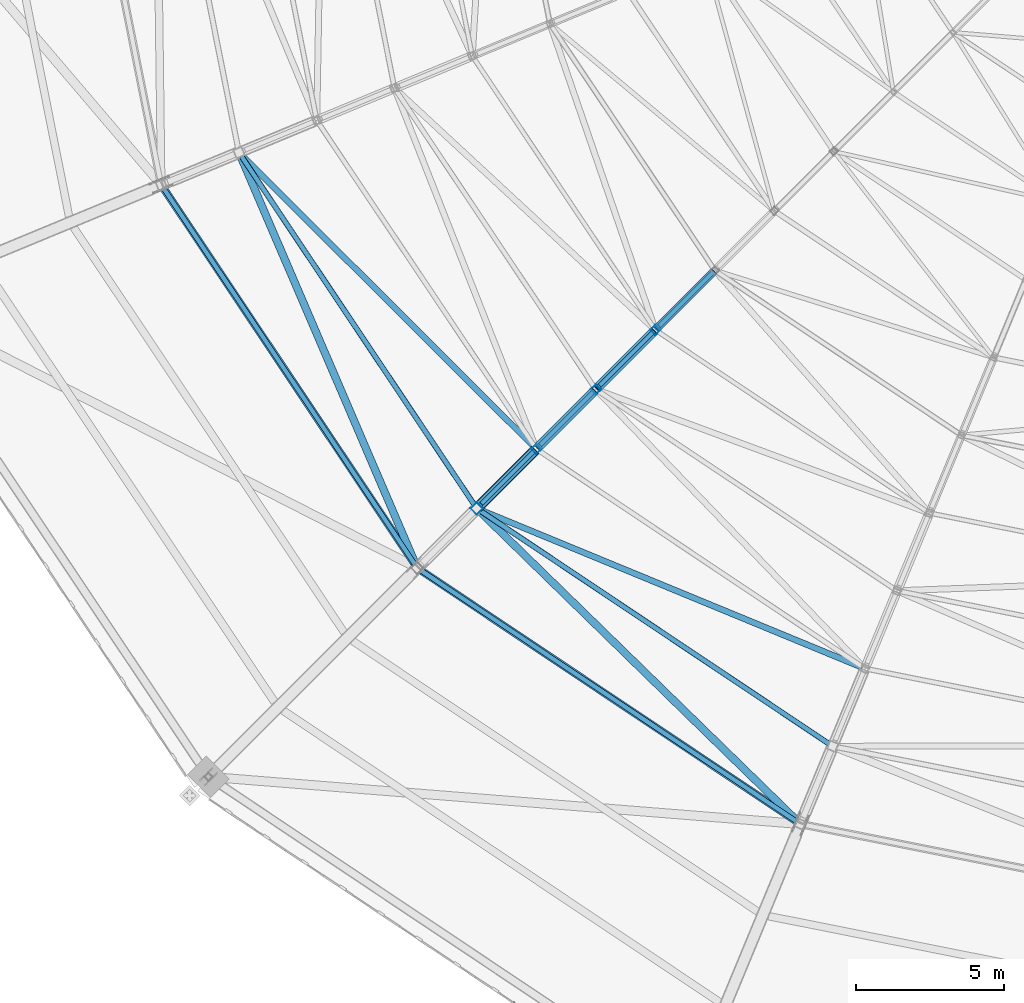
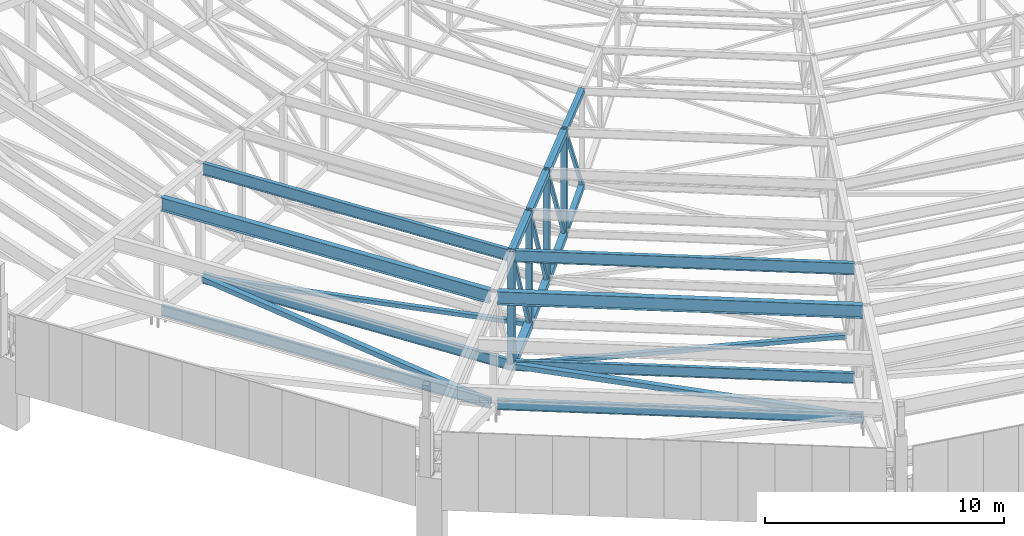
# One storey, part 4 of 278: 16 members, 12 beams.
"""IFC4 building model written with IfcOpenShell, lengths in metres."""

from ifc_helpers import new_model, si_unit, direction, frame, origin, origin_2d, place, context, subcontext, project, spatial, hollow_rectangle, i_section, extrude, material, material_profile, profile_set, type_object, element, save


model = new_model("IFC4")

# Units and contexts
model_context = context("Model", 3, precision=1e-05, world=origin(), true_north=direction((0.0, 1.0)))
body_context = subcontext(model_context, "Body", "Model", "MODEL_VIEW")
ifc_project = project(units=[si_unit("LENGTHUNIT", "METRE"), si_unit("AREAUNIT", "SQUARE_METRE"), si_unit("VOLUMEUNIT", "CUBIC_METRE"), si_unit("PLANEANGLEUNIT", "RADIAN"), si_unit("MASSUNIT", "GRAM", prefix="KILO")], contexts=[model_context])

# Site, building, storey
site_placement = place(None, origin())
site = spatial("IfcSite", under=ifc_project, at=site_placement, CompositionType="ELEMENT")
building_placement = place(site_placement, origin())
building = spatial("IfcBuilding", under=site, at=building_placement, Name="Ogive Plaza Stadium", CompositionType="ELEMENT")
storey_placement = place(building_placement, frame((0.0, 0.0, 29.0)))
storey = spatial("IfcBuildingStorey", under=building, at=storey_placement, Name="Roof", CompositionType="ELEMENT", Elevation=29.0)

# Members
ifc_material_1 = material(Name="Steel ASTM A500 Grade C", Category="steel")
ifc_material_profile_1 = material_profile(ifc_material_1, hollow_rectangle(XDim=0.25390625, YDim=0.25390625, WallThickness=0.0087890625, at=origin_2d()), Name="HSS10X10X3/8")
ifc_profile_set_1 = profile_set([ifc_material_profile_1], Name="Steel ASTM A500 Grade C")
member_type_1 = type_object("IfcMemberType", Name="Roof plan brace HSS10X10X3/8", PredefinedType="BRACE", material=ifc_profile_set_1)
member_1_placement = place(storey_placement, frame((-60.18017578125, -78.855712890625, 0.266845703125), z_axis=(0.716044061782, -0.698042453973, -0.004199290068), x_axis=(0.698048608708, 0.71605037524, 0.0)))
element("IfcMember", 1, at=member_1_placement, inside=storey, type_object=member_type_1, Name="ROOF BRACE B18 10", PredefinedType="BRACE", context=body_context, shape_type="SweptSolid", body=[
    extrude(hollow_rectangle(XDim=0.25390625, YDim=0.25390625, WallThickness=0.0087890625, at=origin_2d()), origin(), (0.0, 0.0, 1.0), 14.999755859375),
])
member_2_placement = place(storey_placement, frame((-68.273193359375, -66.83056640625, 0.266845703125), z_axis=(0.394400964926, -0.918928857657, -0.004199217933), x_axis=(0.918936959698, 0.394404442293, 0.0)))
element("IfcMember", 2, at=member_2_placement, inside=storey, type_object=member_type_1, Name="ROOF BRACE B19 10", PredefinedType="BRACE", context=body_context, shape_type="SweptSolid", body=[
    extrude(hollow_rectangle(XDim=0.25390625, YDim=0.25390625, WallThickness=0.0087890625, at=origin_2d()), origin(), (0.0, 0.0, 1.0), 15.0),
])
ifc_material_2 = material(Name="Steel ASTM A500 Grade C", Category="steel")
ifc_material_profile_2 = material_profile(ifc_material_2, hollow_rectangle(XDim=0.203125, YDim=0.203125, WallThickness=0.0087890625, at=origin_2d()), Name="HSS8X8X3/8")
ifc_profile_set_2 = profile_set([ifc_material_profile_2], Name="Steel ASTM A500 Grade C")
member_type_2 = type_object("IfcMemberType", Name="Roof plan brace HSS8X8X3/8", PredefinedType="BRACE", material=ifc_profile_set_2)
for number, where, z_axis, x_axis, name in (
    (3, (-47.2158203125, -84.152099609375, 0.43359375), (-0.924408703201, 0.381221848811, -0.011766538784), (-0.381248241907, -0.924472702703, 0.0), "ROOF BRACE B18 9"),
    (4, (-58.322509765625, -76.68505859375, 0.43359375), (-0.708160077122, 0.705953861868, -0.011766481353), (-0.706002736629, -0.708209104624, 0.0), "ROOF BRACE B19 9"),
):
    element("IfcMember", number, at=place(storey_placement, frame(where, z_axis=z_axis, x_axis=x_axis)), inside=storey, type_object=member_type_2, Name=name, PredefinedType="BRACE", context=body_context, shape_type="SweptSolid", body=[
        extrude(hollow_rectangle(XDim=0.203125, YDim=0.203125, WallThickness=0.0087890625, at=origin_2d()), origin(), (0.0, 0.0, 1.0), 13.943115234375),
    ])
ifc_material_3 = material(Name="Steel ASTM A992 Grade 50", Category="steel")
ifc_material_profile_3 = material_profile(ifc_material_3, i_section(OverallWidth=0.1650390625, OverallDepth=0.524658203125, WebThickness=0.0087890625, FlangeThickness=0.011474609375, at=origin_2d()), Name="W21X44")
ifc_profile_set_3 = profile_set([ifc_material_profile_3], Name="Steel ASTM A992 Grade 50")
member_type_3 = type_object("IfcMemberType", Name="Roof plan strut W21X44", PredefinedType="STRUT", material=ifc_profile_set_3)
member_3_placement = place(storey_placement, frame((-48.334716796875, -86.743408203125, 0.267333984375), z_axis=(-0.831468390799, 0.555572061125, 0.0), x_axis=(-0.555572061125, -0.831468390799, 0.0)))
element("IfcMember", 5, at=member_3_placement, inside=storey, type_object=member_type_3, Name="ROOF STRUT B18 9", PredefinedType="STRUT", context=body_context, shape_type="SweptSolid", body=[
    extrude(i_section(OverallWidth=0.1650390625, OverallDepth=0.524658203125, WebThickness=0.0087890625, FlangeThickness=0.011474609375, at=origin_2d()), origin(), (0.0, 0.0, 1.0), 14.21142578125),
])
member_4_placement = place(storey_placement, frame((-49.42529296875, -89.37646484375, 0.203125), z_axis=(-0.831464008334, 0.55557861986, 0.0), x_axis=(-0.55557861986, -0.831464008334, 0.0)))
element("IfcMember", 6, at=member_4_placement, inside=storey, type_object=member_type_3, Name="ROOF STRUT B18 10", PredefinedType="STRUT", context=body_context, shape_type="SweptSolid", body=[
    extrude(i_section(OverallWidth=0.1650390625, OverallDepth=0.524658203125, WebThickness=0.0087890625, FlangeThickness=0.011474609375, at=origin_2d()), origin(), (0.0, 0.0, 1.0), 15.323486328125),
])
member_5_placement = place(storey_placement, frame((-60.347900390625, -78.651123046875, 0.267333984375), z_axis=(-0.555572061125, 0.831468390799, 0.0), x_axis=(-0.831468390799, -0.555572061125, 0.0)))
element("IfcMember", 7, at=member_5_placement, inside=storey, type_object=member_type_3, Name="ROOF STRUT B19 9", PredefinedType="STRUT", context=body_context, shape_type="SweptSolid", body=[
    extrude(i_section(OverallWidth=0.1650390625, OverallDepth=0.524658203125, WebThickness=0.0087890625, FlangeThickness=0.011474609375, at=origin_2d()), origin(), (0.0, 0.0, 1.0), 14.21142578125),
])
member_6_placement = place(storey_placement, frame((-62.363037109375, -80.666259765625, 0.203125), z_axis=(-0.55557861986, 0.831464008334, 0.0), x_axis=(-0.831464008334, -0.55557861986, 0.0)))
element("IfcMember", 8, at=member_6_placement, inside=storey, type_object=member_type_3, Name="ROOF STRUT B19 10", PredefinedType="STRUT", context=body_context, shape_type="SweptSolid", body=[
    extrude(i_section(OverallWidth=0.1650390625, OverallDepth=0.524658203125, WebThickness=0.0087890625, FlangeThickness=0.011474609375, at=origin_2d()), origin(), (0.0, 0.0, 1.0), 15.323486328125),
])
ifc_material_4 = material(Name="Steel ASTM A992 Grade 50", Category="steel")
ifc_material_profile_4 = material_profile(ifc_material_4, i_section(OverallWidth=0.177978515625, OverallDepth=0.5986328125, WebThickness=0.010009765625, FlangeThickness=0.012939453125, at=origin_2d()), Name="W24X55")
ifc_profile_set_4 = profile_set([ifc_material_profile_4], Name="Steel ASTM A992 Grade 50")
member_type_4 = type_object("IfcMemberType", Name="Roof purlin W24X55", PredefinedType="PURLIN", material=ifc_profile_set_4)
for number, where, z_axis, x_axis, name in (
    (9, (-48.335693359375, -86.74267578125, 5.84326171875), (-0.831465648913, 0.555576164606, 0.0), (-0.555576164606, -0.831465648913, 0.0), "ROOF PURLIN B18 9"),
    (10, (-60.348388671875, -78.650146484375, 5.84326171875), (-0.555576164606, 0.831465648913, 0.0), (-0.831465648913, -0.555576164606, 0.0), "ROOF PURLIN B19 9"),
):
    element("IfcMember", number, at=place(storey_placement, frame(where, z_axis=z_axis, x_axis=x_axis)), inside=storey, type_object=member_type_4, Name=name, PredefinedType="PURLIN", context=body_context, shape_type="SweptSolid", body=[
        extrude(i_section(OverallWidth=0.177978515625, OverallDepth=0.5986328125, WebThickness=0.010009765625, FlangeThickness=0.012939453125, at=origin_2d()), origin(), (0.0, 0.0, 1.0), 14.209228515625),
    ])
ifc_material_5 = material(Name="Steel ASTM A992 Grade 50", Category="steel")
ifc_material_profile_5 = material_profile(ifc_material_5, i_section(OverallWidth=0.2529296875, OverallDepth=0.678466796875, WebThickness=0.01171875, FlangeThickness=0.016357421875, at=origin_2d()), Name="W27X84")
ifc_profile_set_5 = profile_set([ifc_material_profile_5], Name="Steel ASTM A992 Grade 50")
member_type_5 = type_object("IfcMemberType", Name="Roof purlin W27X84", PredefinedType="PURLIN", material=ifc_profile_set_5)
for number, where, z_axis, x_axis, name in (
    (11, (-49.4326171875, -89.37158203125, 5.660888671875), (-0.831468256832, 0.55557226162, 0.0), (-0.55557226162, -0.831468256832, 0.0), "ROOF PURLIN B18 10"),
    (12, (-62.367919921875, -80.6591796875, 5.660888671875), (-0.55557226162, 0.831468256832, 0.0), (-0.831468256832, -0.55557226162, 0.0), "ROOF PURLIN B19 10"),
):
    element("IfcMember", number, at=place(storey_placement, frame(where, z_axis=z_axis, x_axis=x_axis)), inside=storey, type_object=member_type_5, Name=name, PredefinedType="PURLIN", context=body_context, shape_type="SweptSolid", body=[
        extrude(i_section(OverallWidth=0.2529296875, OverallDepth=0.678466796875, WebThickness=0.01171875, FlangeThickness=0.016357421875, at=origin_2d()), origin(), (0.0, 0.0, 1.0), 15.30615234375),
    ])

# Beams
ifc_material_6 = material(Name="Steel ASTM A500 Grade C", Category="steel")
ifc_material_profile_6 = material_profile(ifc_material_6, hollow_rectangle(XDim=0.25390625, YDim=0.25390625, WallThickness=0.01171875, at=origin_2d()), Name="HSS10X10X1/2")
ifc_profile_set_6 = profile_set([ifc_material_profile_6], Name="Steel ASTM A500 Grade C")
beam_type_1 = type_object("IfcBeamType", Name="Roof truss bottom chord HSS10X10X1/2", PredefinedType="BEAM", material=ifc_profile_set_6)
beam_1_placement = place(storey_placement, frame((-52.2412109375, -70.7412109375, 1.726318359375), z_axis=(-0.692987168322, -0.692987168322, -0.198840561966), x_axis=(0.707106781187, -0.707106781187, 0.0)))
element("IfcBeam", 13, at=beam_1_placement, inside=storey, type_object=beam_type_1, Name="ROOF TRUSS T19 BOTTOM CHORD 6", PredefinedType="BEAM", context=body_context, shape_type="SweptSolid", body=[
    extrude(hollow_rectangle(XDim=0.25390625, YDim=0.25390625, WallThickness=0.01171875, at=origin_2d()), origin(), (0.0, 0.0, 1.0), 2.809326171875),
])
ifc_material_7 = material(Name="Steel ASTM A500 Grade C", Category="steel")
ifc_material_profile_7 = material_profile(ifc_material_7, hollow_rectangle(XDim=0.3046875, YDim=0.3046875, WallThickness=0.0146484375, at=origin_2d()), Name="HSS12X12X5/8")
ifc_profile_set_7 = profile_set([ifc_material_profile_7], Name="Steel ASTM A500 Grade C")
beam_type_2 = type_object("IfcBeamType", Name="Roof truss bottom chord HSS12X12X5/8", PredefinedType="BEAM", material=ifc_profile_set_7)
beam_2_placement = place(storey_placement, frame((-54.258544921875, -72.758544921875, 1.17431640625), z_axis=(-0.698468783112, -0.698468783112, -0.155829130896), x_axis=(0.707106781187, -0.707106781187, 0.0)))
element("IfcBeam", 14, at=beam_2_placement, inside=storey, type_object=beam_type_2, Name="ROOF TRUSS T19 BOTTOM CHORD 7", PredefinedType="BEAM", context=body_context, shape_type="SweptSolid", body=[
    extrude(hollow_rectangle(XDim=0.3046875, YDim=0.3046875, WallThickness=0.0146484375, at=origin_2d()), origin(), (0.0, 0.0, 1.0), 2.7841796875),
])
beam_3_placement = place(storey_placement, frame((-56.27392578125, -74.77392578125, 0.72607421875), z_axis=(-0.702654892107, -0.702654892107, -0.112036624354), x_axis=(0.707106781187, -0.707106781187, 0.0)))
element("IfcBeam", 15, at=beam_3_placement, inside=storey, type_object=beam_type_2, Name="ROOF TRUSS T19 BOTTOM CHORD 8", PredefinedType="BEAM", context=body_context, shape_type="SweptSolid", body=[
    extrude(hollow_rectangle(XDim=0.3046875, YDim=0.3046875, WallThickness=0.0146484375, at=origin_2d()), origin(), (0.0, 0.0, 1.0), 2.767578125),
])
ifc_material_8 = material(Name="Steel ASTM A500 Grade C", Category="steel")
ifc_material_profile_8 = material_profile(ifc_material_8, hollow_rectangle(XDim=0.355712890625, YDim=0.355712890625, WallThickness=0.0146484375, at=origin_2d()), Name="HSS14X14X5/8")
ifc_profile_set_8 = profile_set([ifc_material_profile_8], Name="Steel ASTM A500 Grade C")
beam_type_3 = type_object("IfcBeamType", Name="Roof truss bottom chord HSS14X14X5/8", PredefinedType="BEAM", material=ifc_profile_set_8)
beam_4_placement = place(storey_placement, frame((-58.2890625, -76.7890625, 0.431884765625), z_axis=(-0.705494369508, -0.705494369508, -0.067493623298), x_axis=(0.707106781187, -0.707106781187, 0.0)))
element("IfcBeam", 16, at=beam_4_placement, inside=storey, type_object=beam_type_3, Name="ROOF TRUSS T19 BOTTOM CHORD 9", PredefinedType="BEAM", context=body_context, shape_type="SweptSolid", body=[
    extrude(hollow_rectangle(XDim=0.355712890625, YDim=0.355712890625, WallThickness=0.0146484375, at=origin_2d()), origin(), (0.0, 0.0, 1.0), 2.75634765625),
])

# Members
ifc_material_9 = material(Name="Steel ASTM A500 Grade C", Category="steel")
ifc_material_profile_9 = material_profile(ifc_material_9, hollow_rectangle(XDim=0.15234375, YDim=0.15234375, WallThickness=0.0087890625, at=origin_2d()), Name="HSS6X6X3/8")
ifc_profile_set_9 = profile_set([ifc_material_profile_9], Name="Steel ASTM A500 Grade C")
member_type_6 = type_object("IfcMemberType", Name="Roof truss diagonal HSS6X6X3/8", PredefinedType="BRACE", material=ifc_profile_set_9)
member_7_placement = place(storey_placement, frame((-52.27978515625, -70.77978515625, 1.8603515625), z_axis=(-0.358587564361, -0.358587564361, 0.861875813195), x_axis=(0.707106781187, -0.707106781187, 0.0)))
element("IfcMember", 17, at=member_7_placement, inside=storey, type_object=member_type_6, Name="ROOF TRUSS T19 DIAGONAL 6", PredefinedType="BRACE", context=body_context, shape_type="SweptSolid", body=[
    extrude(hollow_rectangle(XDim=0.15234375, YDim=0.15234375, WallThickness=0.0087890625, at=origin_2d()), origin(), (0.0, 0.0, 1.0), 5.169677734375),
])
member_8_placement = place(storey_placement, frame((-54.31298828125, -72.81298828125, 1.332763671875), z_axis=(-0.336929331101, -0.336929331101, 0.879179874478), x_axis=(0.707106781187, -0.707106781187, 0.0)))
element("IfcMember", 18, at=member_8_placement, inside=storey, type_object=member_type_6, Name="ROOF TRUSS T19 DIAGONAL 7", PredefinedType="BRACE", context=body_context, shape_type="SweptSolid", body=[
    extrude(hollow_rectangle(XDim=0.15234375, YDim=0.15234375, WallThickness=0.0087890625, at=origin_2d()), origin(), (0.0, 0.0, 1.0), 5.4482421875),
])
member_9_placement = place(storey_placement, frame((-56.328369140625, -74.828369140625, 0.883056640625), z_axis=(-0.320914321747, -0.320914321747, 0.891082485629), x_axis=(0.707106781187, -0.707106781187, 0.0)))
element("IfcMember", 19, at=member_9_placement, inside=storey, type_object=member_type_6, Name="ROOF TRUSS T19 DIAGONAL 8", PredefinedType="BRACE", context=body_context, shape_type="SweptSolid", body=[
    extrude(hollow_rectangle(XDim=0.15234375, YDim=0.15234375, WallThickness=0.0087890625, at=origin_2d()), origin(), (0.0, 0.0, 1.0), 5.72021484375),
])
member_10_placement = place(storey_placement, frame((-58.343505859375, -76.843505859375, 0.612548828125), z_axis=(-0.312137612277, -0.312137612277, 0.897296061511), x_axis=(0.707106781187, -0.707106781187, 0.0)))
element("IfcMember", 20, at=member_10_placement, inside=storey, type_object=member_type_6, Name="ROOF TRUSS T19 DIAGONAL 9", PredefinedType="BRACE", context=body_context, shape_type="SweptSolid", body=[
    extrude(hollow_rectangle(XDim=0.15234375, YDim=0.15234375, WallThickness=0.0087890625, at=origin_2d()), origin(), (0.0, 0.0, 1.0), 5.8232421875),
])

# Beams
ifc_material_10 = material(Name="Steel ASTM A500 Grade C", Category="steel")
ifc_material_profile_10 = material_profile(ifc_material_10, hollow_rectangle(XDim=0.25390625, YDim=0.25390625, WallThickness=0.01171875, at=origin_2d()), Name="HSS10X10X1/2")
ifc_profile_set_10 = profile_set([ifc_material_profile_10], Name="Steel ASTM A500 Grade C")
beam_type_4 = type_object("IfcBeamType", Name="Roof truss post HSS10X10X1/2", PredefinedType="BEAM", material=ifc_profile_set_10)
beam_5_placement = place(storey_placement, frame((-54.22314453125, -72.72314453125, 1.028076171875), z_axis=(0.0, 0.0, 1.0), x_axis=(0.707106781187, -0.707106781187, 0.0)))
element("IfcBeam", 21, at=beam_5_placement, inside=storey, type_object=beam_type_4, Name="ROOF TRUSS T19 POST 7", PredefinedType="BEAM", context=body_context, shape_type="SweptSolid", body=[
    extrude(hollow_rectangle(XDim=0.25390625, YDim=0.25390625, WallThickness=0.01171875, at=origin_2d()), origin(), (0.0, 0.0, 1.0), 5.5419921875),
])
beam_6_placement = place(storey_placement, frame((-56.238525390625, -74.738525390625, 0.578369140625), z_axis=(0.0, 0.0, 1.0), x_axis=(0.707106781187, -0.707106781187, 0.0)))
element("IfcBeam", 22, at=beam_6_placement, inside=storey, type_object=beam_type_4, Name="ROOF TRUSS T19 POST 8", PredefinedType="BEAM", context=body_context, shape_type="SweptSolid", body=[
    extrude(hollow_rectangle(XDim=0.25390625, YDim=0.25390625, WallThickness=0.01171875, at=origin_2d()), origin(), (0.0, 0.0, 1.0), 5.84912109375),
])
beam_7_placement = place(storey_placement, frame((-58.253662109375, -76.753662109375, 0.257080078125), z_axis=(0.0, 0.0, 1.0), x_axis=(0.707106781187, -0.707106781187, 0.0)))
element("IfcBeam", 23, at=beam_7_placement, inside=storey, type_object=beam_type_4, Name="ROOF TRUSS T19 POST 9", PredefinedType="BEAM", context=body_context, shape_type="SweptSolid", body=[
    extrude(hollow_rectangle(XDim=0.25390625, YDim=0.25390625, WallThickness=0.01171875, at=origin_2d()), origin(), (0.0, 0.0, 1.0), 6.02783203125),
])
ifc_material_11 = material(Name="Steel ASTM A500 Grade C", Category="steel")
ifc_material_profile_11 = material_profile(ifc_material_11, hollow_rectangle(XDim=0.3046875, YDim=0.3046875, WallThickness=0.01171875, at=origin_2d()), Name="HSS12X12X1/2")
ifc_profile_set_11 = profile_set([ifc_material_profile_11], Name="Steel ASTM A500 Grade C")
beam_type_5 = type_object("IfcBeamType", Name="Roof truss post HSS12X12X1/2", PredefinedType="BEAM", material=ifc_profile_set_11)
beam_8_placement = place(storey_placement, frame((-60.26904296875, -78.76904296875, 0.064208984375), z_axis=(0.0, 0.0, 1.0), x_axis=(0.707106781187, -0.707106781187, 0.0)))
element("IfcBeam", 24, at=beam_8_placement, inside=storey, type_object=beam_type_5, Name="ROOF TRUSS T19 POST 10", PredefinedType="BEAM", context=body_context, shape_type="SweptSolid", body=[
    extrude(hollow_rectangle(XDim=0.3046875, YDim=0.3046875, WallThickness=0.01171875, at=origin_2d()), origin(), (0.0, 0.0, 1.0), 6.078369140625),
])
ifc_material_12 = material(Name="Steel ASTM A500 Grade C", Category="steel")
ifc_material_profile_12 = material_profile(ifc_material_12, hollow_rectangle(XDim=0.25390625, YDim=0.25390625, WallThickness=0.0087890625, at=origin_2d()), Name="HSS10X10X3/8")
ifc_profile_set_12 = profile_set([ifc_material_profile_12], Name="Steel ASTM A500 Grade C")
beam_type_6 = type_object("IfcBeamType", Name="Roof truss top chord HSS10X10X3/8", PredefinedType="BEAM", material=ifc_profile_set_12)
beam_9_placement = place(storey_placement, frame((-52.243408203125, -70.743408203125, 6.582763671875), z_axis=(-0.706225209818, -0.706225209818, -0.049918994743), x_axis=(0.707106781187, -0.707106781187, 0.0)))
element("IfcBeam", 25, at=beam_9_placement, inside=storey, type_object=beam_type_6, Name="ROOF TRUSS T19 TOP CHORD 6", PredefinedType="BEAM", context=body_context, shape_type="SweptSolid", body=[
    extrude(hollow_rectangle(XDim=0.25390625, YDim=0.25390625, WallThickness=0.0087890625, at=origin_2d()), origin(), (0.0, 0.0, 1.0), 2.75341796875),
])
ifc_material_13 = material(Name="Steel ASTM A500 Grade C", Category="steel")
ifc_material_profile_13 = material_profile(ifc_material_13, hollow_rectangle(XDim=0.3046875, YDim=0.3046875, WallThickness=0.01171875, at=origin_2d()), Name="HSS12X12X1/2")
ifc_profile_set_13 = profile_set([ifc_material_profile_13], Name="Steel ASTM A500 Grade C")
beam_type_7 = type_object("IfcBeamType", Name="Roof truss top chord HSS12X12X1/2", PredefinedType="BEAM", material=ifc_profile_set_13)
beam_10_placement = place(storey_placement, frame((-58.2890625, -76.7890625, 6.1298828125), z_axis=(-0.706225209818, -0.706225209818, -0.049918994743), x_axis=(0.707106781187, -0.707106781187, 0.0)))
element("IfcBeam", 26, at=beam_10_placement, inside=storey, type_object=beam_type_7, Name="ROOF TRUSS T19 TOP CHORD 9", PredefinedType="BEAM", context=body_context, shape_type="SweptSolid", body=[
    extrude(hollow_rectangle(XDim=0.3046875, YDim=0.3046875, WallThickness=0.01171875, at=origin_2d()), origin(), (0.0, 0.0, 1.0), 2.75341796875),
])
ifc_material_14 = material(Name="Steel ASTM A500 Grade C", Category="steel")
ifc_material_profile_14 = material_profile(ifc_material_14, hollow_rectangle(XDim=0.3046875, YDim=0.3046875, WallThickness=0.0087890625, at=origin_2d()), Name="HSS12X12X3/8")
ifc_profile_set_14 = profile_set([ifc_material_profile_14], Name="Steel ASTM A500 Grade C")
beam_type_8 = type_object("IfcBeamType", Name="Roof truss top chord HSS12X12X3/8", PredefinedType="BEAM", material=ifc_profile_set_14)
for number, where, z_axis, x_axis, name in (
    (27, (-54.258544921875, -72.758544921875, 6.414794921875), (-0.706225209818, -0.706225209818, -0.049918994743), (0.707106781187, -0.707106781187, 0.0), "ROOF TRUSS T19 TOP CHORD 7"),
    (28, (-56.27392578125, -74.77392578125, 6.2724609375), (-0.706225209818, -0.706225209818, -0.049918994743), (0.707106781187, -0.707106781187, 0.0), "ROOF TRUSS T19 TOP CHORD 8"),
):
    element("IfcBeam", number, at=place(storey_placement, frame(where, z_axis=z_axis, x_axis=x_axis)), inside=storey, type_object=beam_type_8, Name=name, PredefinedType="BEAM", context=body_context, shape_type="SweptSolid", body=[
        extrude(hollow_rectangle(XDim=0.3046875, YDim=0.3046875, WallThickness=0.0087890625, at=origin_2d()), origin(), (0.0, 0.0, 1.0), 2.75341796875),
    ])

save(model, "model.ifc")
